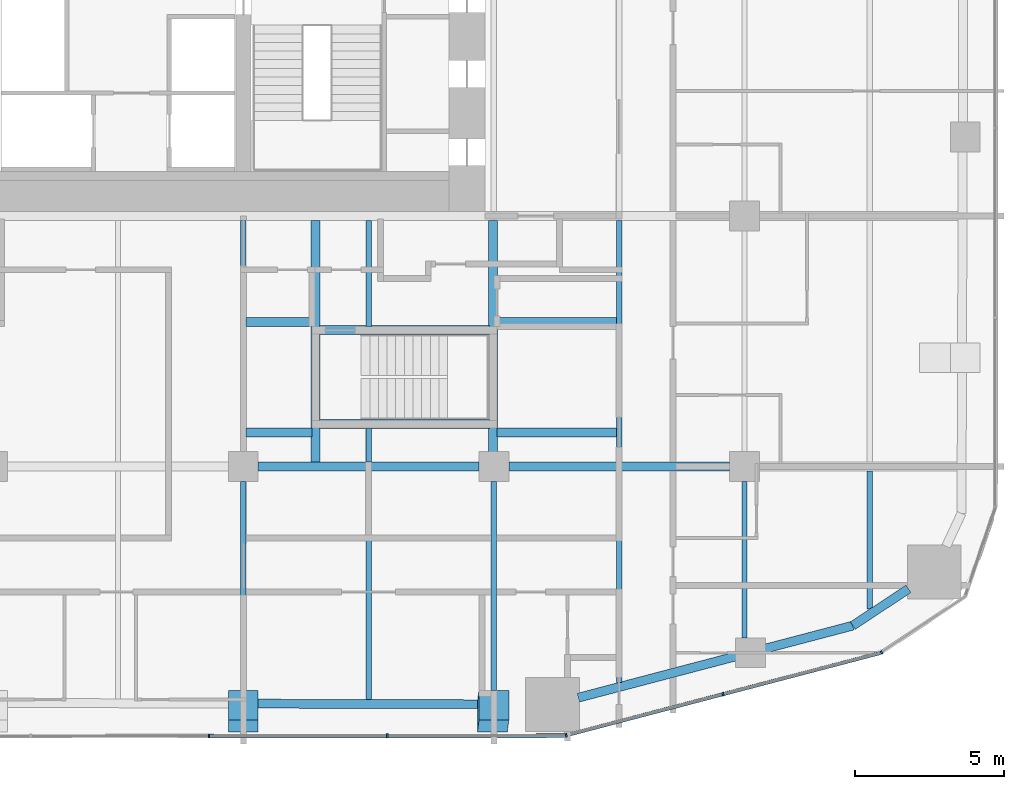
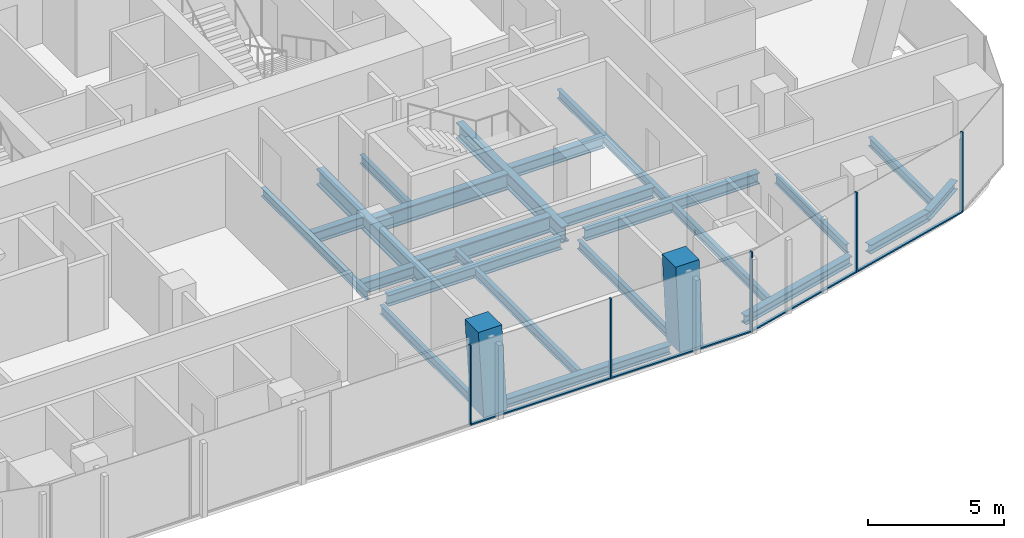
# One storey, part 6 of 27: 24 beams, 11 members, 3 elements without a shape of their own.
"""IFC4 building model written with IfcOpenShell, lengths in metres."""

import ifcopenshell
import ifcopenshell.guid

model = None  # the IFC model being written
_history = None  # IfcOwnerHistory: only IFC2X3 demands one
_inside = {}  # id of a spatial element -> (the spatial element, [elements in it])
_under = {}  # id of a project, library or spatial element -> (it, [spatial elements below it])
_declared = {}  # id of a project -> (the project, [libraries it declares])
_typed = {}  # id of a type object -> (the type object, [elements of that type])
_made_of = {}  # id of a material, layer set ... -> (it, [elements and type objects made of it])


def new_model(schema):
    """Start an empty IFC model of exactly this schema.

    Asked for "IFC4X3", IfcOpenShell would pick the latest addendum, in which some entities
    have other attributes; the version numbers below select the first issue.
    IFC2X3 requires an IfcOwnerHistory on every rooted entity: one is made here for all.
    """
    global model, _history
    if schema == "IFC4X3":
        model = ifcopenshell.file(schema_version=(4, 3, 0, 0))
    else:
        model = ifcopenshell.file(schema=schema)
    _inside.clear()
    _under.clear()
    _declared.clear()
    _typed.clear()
    _made_of.clear()
    _history = None
    if model.schema == "IFC2X3":
        org = make("IfcOrganization", Name="unknown")
        user = make(
            "IfcPersonAndOrganization",
            ThePerson=make("IfcPerson", FamilyName="unknown"),
            TheOrganization=org,
        )
        app = make(
            "IfcApplication",
            ApplicationDeveloper=org,
            Version="unknown",
            ApplicationFullName="unknown",
            ApplicationIdentifier="unknown",
        )
        _history = make(
            "IfcOwnerHistory",
            OwningUser=user,
            OwningApplication=app,
            ChangeAction="ADDED",
            CreationDate=0,
        )
    return model


def make(cls, **values):
    """One entity of the class cls with the attributes given. An attribute that is None is left unset."""
    return model.create_entity(
        cls, **{name: value for name, value in values.items() if value is not None}
    )


def rooted(cls, **values):
    """An entity with a GlobalId (a new one), such as an element, a storey or a relation."""
    return make(cls, GlobalId=ifcopenshell.guid.new(), OwnerHistory=_history, **values)


def si_unit(unit_type, name, prefix=None):
    """IfcSIUnit, for example si_unit("LENGTHUNIT", "METRE", prefix="MILLI")."""
    return make("IfcSIUnit", UnitType=unit_type, Prefix=prefix, Name=name)


def assignment(units):
    """IfcUnitAssignment: the units of a project."""
    return None if units is None else make("IfcUnitAssignment", Units=units)


def point(xyz):
    """IfcCartesianPoint."""
    return None if xyz is None else make("IfcCartesianPoint", Coordinates=xyz)


def direction(xyz):
    """IfcDirection."""
    return None if xyz is None else make("IfcDirection", DirectionRatios=xyz)


def frame(location, z_axis=None, x_axis=None):
    """IfcAxis2Placement3D, a coordinate frame: its origin and axes. An axis left out is left unset."""
    return make(
        "IfcAxis2Placement3D",
        Location=point(location),
        Axis=direction(z_axis),
        RefDirection=direction(x_axis),
    )


def frame_2d(location, x_axis=None):
    """IfcAxis2Placement2D, a coordinate frame in the plane: its origin and x axis."""
    return make(
        "IfcAxis2Placement2D", Location=point(location), RefDirection=direction(x_axis)
    )


def origin():
    """The frame at (0, 0, 0) with its axes left unset."""
    return frame((0.0, 0.0, 0.0))


def origin_2d():
    """The frame at (0, 0) in the plane with its x axis left unset."""
    return frame_2d((0.0, 0.0))


def place(relative_to, where):
    """IfcLocalPlacement: puts the frame where relative to a parent placement (None: the world)."""
    return make(
        "IfcLocalPlacement", PlacementRelTo=relative_to, RelativePlacement=where
    )


def context(
    kind, dimensions, precision=None, world=None, true_north=None, identifier=None
):
    """IfcGeometricRepresentationContext, for example the 3D "Model" context."""
    return make(
        "IfcGeometricRepresentationContext",
        ContextIdentifier=identifier,
        ContextType=kind,
        CoordinateSpaceDimension=dimensions,
        Precision=precision,
        WorldCoordinateSystem=world,
        TrueNorth=true_north,
    )


def subcontext(parent, identifier, kind, view, scale=None):
    """IfcGeometricRepresentationSubContext, for example "Body" below "Model"."""
    return make(
        "IfcGeometricRepresentationSubContext",
        ContextIdentifier=identifier,
        ContextType=kind,
        ParentContext=parent,
        TargetScale=scale,
        TargetView=view,
    )


def project(units=None, contexts=None):
    """IfcProject with its units and contexts."""
    return rooted(
        "IfcProject",
        Name="project",
        RepresentationContexts=contexts,
        UnitsInContext=assignment(units),
    )


def spatial(cls, under=None, at=None, **own):
    """A site, building, storey or space (cls), placed at a placement, below another one or the project."""
    s = rooted(cls, ObjectPlacement=at, **own)
    if under is not None:
        _under.setdefault(under.id(), (under, []))[1].append(s)
    return s


def profile(cls, at=None, kind="AREA", **sizes):
    """A parametric profile (cls). Its sizes go by their IFC names, for example OverallWidth=200.0."""
    return make(cls, ProfileType=kind, Position=at, **sizes)


def rectangle(**sizes):
    """IfcRectangleProfileDef."""
    return profile("IfcRectangleProfileDef", **sizes)


def i_section(**sizes):
    """IfcIShapeProfileDef."""
    return profile("IfcIShapeProfileDef", **sizes)


def extrude(swept, where, along, depth):
    """IfcExtrudedAreaSolid: the profile swept, set in the frame where, extruded along a direction by depth."""
    return make(
        "IfcExtrudedAreaSolid",
        SweptArea=swept,
        Position=where,
        ExtrudedDirection=direction(along),
        Depth=depth,
    )


def shape(context_of_items, identifier, shape_type, items):
    """IfcShapeRepresentation: the items that make up one representation, for example the "Body"."""
    return make(
        "IfcShapeRepresentation",
        ContextOfItems=context_of_items,
        RepresentationIdentifier=identifier,
        RepresentationType=shape_type,
        Items=items,
    )


def material(Name=None, Category=None):
    """IfcMaterial."""
    return make("IfcMaterial", Name=Name, Category=Category)


def layer(
    of_material, thickness, ventilated=None, Name=None, Category=None, Priority=None
):
    """IfcMaterialLayer: one layer of a wall or slab, of a material (None: an air gap)."""
    return make(
        "IfcMaterialLayer",
        Material=of_material,
        LayerThickness=thickness,
        IsVentilated=ventilated,
        Name=Name,
        Category=Category,
        Priority=Priority,
    )


def layer_set(layers, Name=None):
    """IfcMaterialLayerSet."""
    return make("IfcMaterialLayerSet", MaterialLayers=layers, LayerSetName=Name)


def material_profile(
    of_material, cross_section, Name=None, Category=None, Priority=None
):
    """IfcMaterialProfile: a cross section and its material."""
    return make(
        "IfcMaterialProfile",
        Name=Name,
        Material=of_material,
        Profile=cross_section,
        Priority=Priority,
        Category=Category,
    )


def profile_set(profiles, Name=None, composite=None):
    """IfcMaterialProfileSet."""
    return make(
        "IfcMaterialProfileSet",
        Name=Name,
        MaterialProfiles=profiles,
        CompositeProfile=composite,
    )


def made_of(thing, what):
    """Note that an element or type object is made of a material, layer set ...; save() writes the relation."""
    if what is not None:
        _made_of.setdefault(what.id(), (what, []))[1].append(thing)
    return thing


def type_object(cls, material=None, **own):
    """A type object (cls), such as IfcWallType, which elements share."""
    return made_of(rooted(cls, **own), material)


def element(
    cls,
    number,
    at=None,
    inside=None,
    cuts=None,
    type_object=None,
    material=None,
    context=None,
    identifier="Body",
    shape_type=None,
    held_by="IfcProductDefinitionShape",
    body=None,
    shapes=None,
    **own,
):
    """One element of the class cls, such as IfcWall. Its Tag is "e" and its number.

    at: its placement. inside: the storey or other place that contains it. cuts: it is an
    opening in that element (IfcRelVoidsElement). A single representation is given by context,
    identifier, shape_type and body (its items); several are given by shapes. held_by: the class
    of the entity that holds the representations. save() writes the other relations.
    """
    e = rooted(cls, Tag="e%d" % number, ObjectPlacement=at, **own)
    if body is not None:
        shapes = [shape(context, identifier, shape_type, body)]
    if shapes is not None:
        e.Representation = make(held_by, Representations=shapes)
    if inside is not None:
        _inside.setdefault(inside.id(), (inside, []))[1].append(e)
    if cuts is not None:
        rooted(
            "IfcRelVoidsElement", RelatingBuildingElement=cuts, RelatedOpeningElement=e
        )
    if type_object is not None:
        _typed.setdefault(type_object.id(), (type_object, []))[1].append(e)
    return made_of(e, material)


def aggregate(whole, parts):
    """IfcRelAggregates: a whole, such as a stair, and the parts it consists of."""
    return rooted("IfcRelAggregates", RelatingObject=whole, RelatedObjects=parts)


def save(model, path):
    """Write the relations noted so far, then the file.

    IfcRelAggregates (storeys below a building ...), IfcRelContainedInSpatialStructure (elements
    in a storey), IfcRelDefinesByType, IfcRelAssociatesMaterial and IfcRelDeclares: one each for
    every whole, place, type object, material and project.
    """
    for whole, parts in _under.values():
        aggregate(whole, parts)
    for where, things in _inside.values():
        rooted(
            "IfcRelContainedInSpatialStructure",
            RelatedElements=things,
            RelatingStructure=where,
        )
    for kind, things in _typed.values():
        rooted("IfcRelDefinesByType", RelatedObjects=things, RelatingType=kind)
    for what, things in _made_of.values():
        rooted("IfcRelAssociatesMaterial", RelatedObjects=things, RelatingMaterial=what)
    for by, libraries in _declared.values():
        rooted("IfcRelDeclares", RelatingContext=by, RelatedDefinitions=libraries)
    model.write(path)


model = new_model("IFC4")

# Units and contexts
model_context = context("Model", 3, precision=1e-05, world=origin(), true_north=direction((0.0, 1.0)))
body_context = subcontext(model_context, "Body", "Model", "MODEL_VIEW")
ifc_project = project(units=[si_unit("LENGTHUNIT", "METRE"), si_unit("AREAUNIT", "SQUARE_METRE"), si_unit("VOLUMEUNIT", "CUBIC_METRE"), si_unit("PLANEANGLEUNIT", "RADIAN"), si_unit("MASSUNIT", "GRAM", prefix="KILO")], contexts=[model_context])

# Site, building, storey
site_placement = place(None, origin())
site = spatial("IfcSite", under=ifc_project, at=site_placement, CompositionType="ELEMENT")
building_placement = place(site_placement, origin())
building = spatial("IfcBuilding", under=site, at=building_placement, Name="Marenta Gate Hotel Tower", CompositionType="ELEMENT")
storey_placement = place(building_placement, frame((0.0, 0.0, 36.5)))
storey = spatial("IfcBuildingStorey", under=building, at=storey_placement, Name="L06", CompositionType="ELEMENT", Elevation=36.5)

# Beams
ifc_material_1 = material(Name="Steel S355", Category="steel")
ifc_material_profile_1 = material_profile(ifc_material_1, i_section(OverallWidth=0.300048828125, OverallDepth=0.39990234375, WebThickness=0.013427734375, FlangeThickness=0.02392578125, FilletRadius=0.027099609375, at=origin_2d()), Name="HEB 400")
ifc_profile_set_1 = profile_set([ifc_material_profile_1], Name="Steel S355")
beam_type_1 = type_object("IfcBeamType", Name="Edge beam HEB 400", PredefinedType="SPANDREL", material=ifc_profile_set_1)
beam_1_placement = place(storey_placement, frame((26.496337890625, -12.498291015625, -0.35009765625), z_axis=(-0.834510054819, -0.550992711754, 0.0), x_axis=(0.550992711754, -0.834510054819, 0.0)))
element("IfcBeam", 1, at=beam_1_placement, inside=storey, type_object=beam_type_1, Name="L06-EB-29", PredefinedType="SPANDREL", context=body_context, shape_type="SweptSolid", body=[
    extrude(i_section(OverallWidth=0.300048828125, OverallDepth=0.39990234375, WebThickness=0.013427734375, FlangeThickness=0.02392578125, FilletRadius=0.027099609375, at=origin_2d()), origin(), (0.0, 0.0, 1.0), 2.237060546875),
])
beam_2_placement = place(storey_placement, frame((24.62939453125, -13.73095703125, -0.35009765625), z_axis=(-0.967228272573, -0.253908386501, 0.0), x_axis=(0.253908386501, -0.967228272573, 0.0)))
element("IfcBeam", 2, at=beam_2_placement, inside=storey, type_object=beam_type_1, Name="L06-EB-30", PredefinedType="SPANDREL", context=body_context, shape_type="SweptSolid", body=[
    extrude(i_section(OverallWidth=0.300048828125, OverallDepth=0.39990234375, WebThickness=0.013427734375, FlangeThickness=0.02392578125, FilletRadius=0.027099609375, at=origin_2d()), origin(), (0.0, 0.0, 1.0), 3.0615234375),
])
beam_3_placement = place(storey_placement, frame((20.74560546875, -14.75048828125, -0.35009765625), z_axis=(-0.967231374294, -0.253896570638, 0.0), x_axis=(0.253896570638, -0.967231374294, 0.0)))
element("IfcBeam", 3, at=beam_3_placement, inside=storey, type_object=beam_type_1, Name="L06-EB-31", PredefinedType="SPANDREL", context=body_context, shape_type="SweptSolid", body=[
    extrude(i_section(OverallWidth=0.300048828125, OverallDepth=0.39990234375, WebThickness=0.013427734375, FlangeThickness=0.02392578125, FilletRadius=0.027099609375, at=origin_2d()), origin(), (0.0, 0.0, 1.0), 5.498291015625),
])
beam_4_placement = place(storey_placement, frame((12.139892578125, -16.365966796875, -0.35009765625), z_axis=(-0.99999624158, 0.002741683018, 0.0), x_axis=(-0.002741683018, -0.99999624158, 0.0)))
element("IfcBeam", 4, at=beam_4_placement, inside=storey, type_object=beam_type_1, Name="L06-EB-32", PredefinedType="SPANDREL", context=body_context, shape_type="SweptSolid", body=[
    extrude(i_section(OverallWidth=0.300048828125, OverallDepth=0.39990234375, WebThickness=0.013427734375, FlangeThickness=0.02392578125, FilletRadius=0.027099609375, at=origin_2d()), origin(), (0.0, 0.0, 1.0), 7.47998046875),
])

# Members
ifc_material_2 = material(Name="Concrete C80", Category="concrete")
ifc_material_profile_2 = material_profile(ifc_material_2, rectangle(XDim=1.0, YDim=1.0, at=origin_2d()), Name="1000 x 1000")
ifc_profile_set_2 = profile_set([ifc_material_profile_2], Name="Concrete C80")
member_type_1 = type_object("IfcMemberType", Name="Edge column raked 1000 x 1000 C80", PredefinedType="STRUT", material=ifc_profile_set_2)
member_1_placement = place(storey_placement, frame((12.54638671875, -16.800048828125, 0.0), z_axis=(0.0, 0.0, 1.0), x_axis=(1.0, 0.0, 0.0)))
element("IfcMember", 5, at=member_1_placement, inside=storey, type_object=member_type_1, Name="L06-EC-SKE-SKW-1", PredefinedType="STRUT", context=body_context, shape_type="SweptSolid", body=[
    extrude(rectangle(XDim=1.0, YDim=1.0, at=origin_2d()), origin(), (0.014826358586, 0.110456371463, 0.993770380467), 3.62255859375),
])
member_2_placement = place(storey_placement, frame((4.199951171875, -16.800048828125, 0.0), z_axis=(0.0, 0.0, 1.0), x_axis=(1.0, 0.0, 0.0)))
element("IfcMember", 6, at=member_2_placement, inside=storey, type_object=member_type_1, Name="L06-EC-SKE-SKW-2", PredefinedType="STRUT", context=body_context, shape_type="SweptSolid", body=[
    extrude(rectangle(XDim=1.0, YDim=1.0, at=origin_2d()), origin(), (0.0, 0.110468513774, 0.993879624232), 3.622314453125),
])

# Beams
ifc_material_3 = material(Name="Steel S355", Category="steel")
ifc_material_profile_3 = material_profile(ifc_material_3, i_section(OverallWidth=0.179931640625, OverallDepth=0.39990234375, WebThickness=0.008544921875, FlangeThickness=0.013427734375, FilletRadius=0.02099609375, at=origin_2d()), Name="IPE 400")
ifc_profile_set_3 = profile_set([ifc_material_profile_3], Name="Steel S355")
beam_type_2 = type_object("IfcBeamType", Name="Floor beam IPE 400", PredefinedType="JOIST", material=ifc_profile_set_3)
beam_5_placement = place(storey_placement, frame((4.199951171875, -15.89990234375, -0.35009765625), z_axis=(0.0, 1.0, 0.0), x_axis=(-1.0, 0.0, 0.0)))
element("IfcBeam", 7, at=beam_5_placement, inside=storey, type_object=beam_type_2, Name="L06-FB-40", PredefinedType="JOIST", context=body_context, shape_type="SweptSolid", body=[
    extrude(i_section(OverallWidth=0.179931640625, OverallDepth=0.39990234375, WebThickness=0.008544921875, FlangeThickness=0.013427734375, FilletRadius=0.02099609375, at=origin_2d()), origin(), (0.0, 0.0, 1.0), 7.0),
])
beam_6_placement = place(storey_placement, frame((4.199951171875, -7.89990234375, -0.35009765625), z_axis=(0.0, 1.0, 0.0), x_axis=(-1.0, 0.0, 0.0)))
element("IfcBeam", 8, at=beam_6_placement, inside=storey, type_object=beam_type_2, Name="L06-FB-41", PredefinedType="JOIST", context=body_context, shape_type="SweptSolid", body=[
    extrude(i_section(OverallWidth=0.179931640625, OverallDepth=0.39990234375, WebThickness=0.008544921875, FlangeThickness=0.013427734375, FilletRadius=0.02099609375, at=origin_2d()), origin(), (0.0, 0.0, 1.0), 7.75),
])
beam_7_placement = place(storey_placement, frame((8.39990234375, -16.205810546875, -0.35009765625), z_axis=(0.0, 1.0, 0.0), x_axis=(-1.0, 0.0, 0.0)))
element("IfcBeam", 9, at=beam_7_placement, inside=storey, type_object=beam_type_2, Name="L06-FB-44", PredefinedType="JOIST", context=body_context, shape_type="SweptSolid", body=[
    extrude(i_section(OverallWidth=0.179931640625, OverallDepth=0.39990234375, WebThickness=0.008544921875, FlangeThickness=0.013427734375, FilletRadius=0.02099609375, at=origin_2d()), origin(), (0.0, 0.0, 1.0), 7.65576171875),
])
beam_8_placement = place(storey_placement, frame((8.39990234375, -8.25, -0.35009765625), z_axis=(0.0, 1.0, 0.0), x_axis=(-1.0, 0.0, 0.0)))
element("IfcBeam", 10, at=beam_8_placement, inside=storey, type_object=beam_type_2, Name="L06-FB-45", PredefinedType="JOIST", context=body_context, shape_type="SweptSolid", body=[
    extrude(i_section(OverallWidth=0.179931640625, OverallDepth=0.39990234375, WebThickness=0.008544921875, FlangeThickness=0.013427734375, FilletRadius=0.02099609375, at=origin_2d()), origin(), (0.0, 0.0, 1.0), 1.14990234375),
])
beam_9_placement = place(storey_placement, frame((8.39990234375, -3.699951171875, -0.35009765625), z_axis=(0.0, 1.0, 0.0), x_axis=(-1.0, 0.0, 0.0)))
element("IfcBeam", 11, at=beam_9_placement, inside=storey, type_object=beam_type_2, Name="L06-FB-46", PredefinedType="JOIST", context=body_context, shape_type="SweptSolid", body=[
    extrude(i_section(OverallWidth=0.179931640625, OverallDepth=0.39990234375, WebThickness=0.008544921875, FlangeThickness=0.013427734375, FilletRadius=0.02099609375, at=origin_2d()), origin(), (0.0, 0.0, 1.0), 3.550048828125),
])
beam_10_placement = place(storey_placement, frame((12.60009765625, -15.89990234375, -0.35009765625), z_axis=(0.0, 1.0, 0.0), x_axis=(-1.0, 0.0, 0.0)))
element("IfcBeam", 12, at=beam_10_placement, inside=storey, type_object=beam_type_2, Name="L06-FB-49", PredefinedType="JOIST", context=body_context, shape_type="SweptSolid", body=[
    extrude(i_section(OverallWidth=0.179931640625, OverallDepth=0.39990234375, WebThickness=0.008544921875, FlangeThickness=0.013427734375, FilletRadius=0.02099609375, at=origin_2d()), origin(), (0.0, 0.0, 1.0), 7.0),
])
beam_11_placement = place(storey_placement, frame((16.800048828125, -15.631103515625, -0.35009765625), z_axis=(0.0, 1.0, 0.0), x_axis=(-1.0, 0.0, 0.0)))
element("IfcBeam", 13, at=beam_11_placement, inside=storey, type_object=beam_type_2, Name="L06-FB-54", PredefinedType="JOIST", context=body_context, shape_type="SweptSolid", body=[
    extrude(i_section(OverallWidth=0.179931640625, OverallDepth=0.39990234375, WebThickness=0.008544921875, FlangeThickness=0.013427734375, FilletRadius=0.02099609375, at=origin_2d()), origin(), (0.0, 0.0, 1.0), 7.0810546875),
])
beam_12_placement = place(storey_placement, frame((16.800048828125, -8.25, -0.35009765625), z_axis=(0.0, 1.0, 0.0), x_axis=(-1.0, 0.0, 0.0)))
element("IfcBeam", 14, at=beam_12_placement, inside=storey, type_object=beam_type_2, Name="L06-FB-55", PredefinedType="JOIST", context=body_context, shape_type="SweptSolid", body=[
    extrude(i_section(OverallWidth=0.179931640625, OverallDepth=0.39990234375, WebThickness=0.008544921875, FlangeThickness=0.013427734375, FilletRadius=0.02099609375, at=origin_2d()), origin(), (0.0, 0.0, 1.0), 8.10009765625),
])
beam_13_placement = place(storey_placement, frame((21.0, -14.13916015625, -0.35009765625), z_axis=(0.0, 1.0, 0.0), x_axis=(-1.0, 0.0, 0.0)))
element("IfcBeam", 15, at=beam_13_placement, inside=storey, type_object=beam_type_2, Name="L06-FB-60", PredefinedType="JOIST", context=body_context, shape_type="SweptSolid", body=[
    extrude(i_section(OverallWidth=0.179931640625, OverallDepth=0.39990234375, WebThickness=0.008544921875, FlangeThickness=0.013427734375, FilletRadius=0.02099609375, at=origin_2d()), origin(), (0.0, 0.0, 1.0), 5.2392578125),
])
beam_14_placement = place(storey_placement, frame((25.199951171875, -13.174560546875, -0.35009765625), z_axis=(0.0, 1.0, 0.0), x_axis=(-1.0, 0.0, 0.0)))
element("IfcBeam", 16, at=beam_14_placement, inside=storey, type_object=beam_type_2, Name="L06-FB-66", PredefinedType="JOIST", context=body_context, shape_type="SweptSolid", body=[
    extrude(i_section(OverallWidth=0.179931640625, OverallDepth=0.39990234375, WebThickness=0.008544921875, FlangeThickness=0.013427734375, FilletRadius=0.02099609375, at=origin_2d()), origin(), (0.0, 0.0, 1.0), 4.62451171875),
])
ifc_material_4 = material(Name="Steel S355", Category="steel")
ifc_material_profile_4 = material_profile(ifc_material_4, i_section(OverallWidth=0.300048828125, OverallDepth=0.5, WebThickness=0.014404296875, FlangeThickness=0.028076171875, FilletRadius=0.027099609375, at=origin_2d()), Name="HEB 500")
ifc_profile_set_4 = profile_set([ifc_material_profile_4], Name="Steel S355")
beam_type_3 = type_object("IfcBeamType", Name="Girder HEB 500", PredefinedType="BEAM", material=ifc_profile_set_4)
beam_15_placement = place(storey_placement, frame((4.699951171875, -8.39990234375, -0.39990234375), z_axis=(1.0, 0.0, 0.0), x_axis=(0.0, 1.0, 0.0)))
element("IfcBeam", 17, at=beam_15_placement, inside=storey, type_object=beam_type_3, Name="L06-GD-5", PredefinedType="BEAM", context=body_context, shape_type="SweptSolid", body=[
    extrude(i_section(OverallWidth=0.300048828125, OverallDepth=0.5, WebThickness=0.014404296875, FlangeThickness=0.028076171875, FilletRadius=0.027099609375, at=origin_2d()), origin(), (0.0, 0.0, 1.0), 7.400146484375),
])
beam_16_placement = place(storey_placement, frame((13.10009765625, -8.39990234375, -0.39990234375), z_axis=(1.0, 0.0, 0.0), x_axis=(0.0, 1.0, 0.0)))
element("IfcBeam", 18, at=beam_16_placement, inside=storey, type_object=beam_type_3, Name="L06-GD-6", PredefinedType="BEAM", context=body_context, shape_type="SweptSolid", body=[
    extrude(i_section(OverallWidth=0.300048828125, OverallDepth=0.5, WebThickness=0.014404296875, FlangeThickness=0.028076171875, FilletRadius=0.027099609375, at=origin_2d()), origin(), (0.0, 0.0, 1.0), 7.39990234375),
])

# Curtain wall, members
ifc_material_5 = material(Name="Tinted insulated glass in bronze anodised frame", Category="glass")
ifc_layer = layer(ifc_material_5, 0.1201171875)
ifc_layer_set = layer_set([ifc_layer], Name="Tinted insulated glass in bronze anodised frame")
curtain_wall_type = type_object("IfcCurtainWallType", Name="Tower unitised curtain wall CW1", PredefinedType="NOTDEFINED", material=ifc_layer_set)
curtain_wall_1_placement = place(storey_placement, origin())
curtain_wall_1 = element("IfcCurtainWall", 19, at=curtain_wall_1_placement, inside=storey, type_object=curtain_wall_type, Name="CW1 run G07", PredefinedType="NOTDEFINED")
ifc_material_6 = material(Name="Bronze anodised aluminium", Category="aluminium")
ifc_material_profile_5 = material_profile(ifc_material_6, rectangle(XDim=0.1201171875, YDim=0.06005859375, at=origin_2d()), Name="Mullion CW1 60x120 bronze anodised aluminium")
ifc_profile_set_5 = profile_set([ifc_material_profile_5], Name="Bronze anodised aluminium")
member_type_2 = type_object("IfcMemberType", Name="Mullion CW1 60x120 bronze anodised aluminium", PredefinedType="MULLION", material=ifc_profile_set_5)
member_3_placement = place(storey_placement, frame((3.048095703125, -17.427001953125, 0.0), z_axis=(0.0, 0.0, 1.0), x_axis=(-0.001161921639, 0.999999324969, 0.0)))
member_3 = element("IfcMember", 20, at=member_3_placement, type_object=member_type_2, Name="CW1 mullion 4", PredefinedType="MULLION", context=body_context, shape_type="SweptSolid", body=[
    extrude(rectangle(XDim=0.1201171875, YDim=0.06005859375, at=origin_2d()), origin(), (0.0, 0.0, 1.0), 3.60009765625),
])
member_4_placement = place(storey_placement, frame((9.020751953125, -17.419921875, 0.0), z_axis=(0.0, 0.0, 1.0), x_axis=(-0.001161921639, 0.999999324969, 0.0)))
member_4 = element("IfcMember", 21, at=member_4_placement, type_object=member_type_2, Name="CW1 mullion 5", PredefinedType="MULLION", context=body_context, shape_type="SweptSolid", body=[
    extrude(rectangle(XDim=0.1201171875, YDim=0.06005859375, at=origin_2d()), origin(), (0.0, 0.0, 1.0), 3.60009765625),
])

curtain_wall_2_placement = place(storey_placement, origin())
curtain_wall_2 = element("IfcCurtainWall", 22, at=curtain_wall_2_placement, inside=storey, type_object=curtain_wall_type, Name="CW1 run G08", PredefinedType="NOTDEFINED")
member_5_placement = place(storey_placement, frame((15.022705078125, -17.405517578125, 0.0), z_axis=(0.0, 0.0, 1.0), x_axis=(-0.25337182621, 0.967368966674, 0.0)))
member_5 = element("IfcMember", 23, at=member_5_placement, type_object=member_type_2, Name="CW1 mullion 1", PredefinedType="MULLION", context=body_context, shape_type="SweptSolid", body=[
    extrude(rectangle(XDim=0.1201171875, YDim=0.06005859375, at=origin_2d()), origin(), (0.0, 0.0, 1.0), 3.60009765625),
])
member_6_placement = place(storey_placement, frame((20.28076171875, -16.0283203125, 0.0), z_axis=(0.0, 0.0, 1.0), x_axis=(-0.25337182621, 0.967368966674, 0.0)))
member_6 = element("IfcMember", 24, at=member_6_placement, type_object=member_type_2, Name="CW1 mullion 2", PredefinedType="MULLION", context=body_context, shape_type="SweptSolid", body=[
    extrude(rectangle(XDim=0.1201171875, YDim=0.06005859375, at=origin_2d()), origin(), (0.0, 0.0, 1.0), 3.60009765625),
])

# Curtain wall, member
curtain_wall_3_placement = place(storey_placement, origin())
curtain_wall_3 = element("IfcCurtainWall", 25, at=curtain_wall_3_placement, inside=storey, type_object=curtain_wall_type, Name="CW1 run G09", PredefinedType="NOTDEFINED")
member_7_placement = place(storey_placement, frame((25.592529296875, -14.626953125, 0.0), z_axis=(0.0, 0.0, 1.0), x_axis=(-0.554034324326, 0.832493824282, 0.0)))
member_7 = element("IfcMember", 26, at=member_7_placement, type_object=member_type_2, Name="CW1 mullion 1", PredefinedType="MULLION", context=body_context, shape_type="SweptSolid", body=[
    extrude(rectangle(XDim=0.1201171875, YDim=0.06005859375, at=origin_2d()), origin(), (0.0, 0.0, 1.0), 3.60009765625),
])
aggregate(curtain_wall_3, [member_7])

# Beams
ifc_material_7 = material(Name="Steel S355", Category="steel")
ifc_material_profile_6 = material_profile(ifc_material_7, i_section(OverallWidth=0.303955078125, OverallDepth=0.716064453125, WebThickness=0.027099609375, FlangeThickness=0.048095703125, FilletRadius=0.027099609375, at=origin_2d()), Name="HEM 700")
ifc_profile_set_6 = profile_set([ifc_material_profile_6], Name="Steel S355")
beam_type_4 = type_object("IfcBeamType", Name="Stair wall transfer beam HEM 700", PredefinedType="BEAM", material=ifc_profile_set_6)
beam_17_placement = place(storey_placement, frame((6.625, -8.25, -0.508056640625), z_axis=(0.0, 1.0, 0.0), x_axis=(-1.0, 0.0, 0.0)))
element("IfcBeam", 27, at=beam_17_placement, inside=storey, type_object=beam_type_4, Name="L06-XB-RS-Z1-1-a", PredefinedType="BEAM", context=body_context, shape_type="SweptSolid", body=[
    extrude(i_section(OverallWidth=0.303955078125, OverallDepth=0.716064453125, WebThickness=0.027099609375, FlangeThickness=0.048095703125, FilletRadius=0.027099609375, at=origin_2d()), origin(), (0.0, 0.0, 1.0), 8.10009765625),
])
beam_18_placement = place(storey_placement, frame((12.574951171875, -7.949951171875, -0.508056640625), z_axis=(0.0, 1.0, 0.0), x_axis=(-1.0, 0.0, 0.0)))
element("IfcBeam", 28, at=beam_18_placement, inside=storey, type_object=beam_type_4, Name="L06-XB-RS-Z1-1-b", PredefinedType="BEAM", context=body_context, shape_type="SweptSolid", body=[
    extrude(i_section(OverallWidth=0.303955078125, OverallDepth=0.716064453125, WebThickness=0.027099609375, FlangeThickness=0.048095703125, FilletRadius=0.027099609375, at=origin_2d()), origin(), (0.0, 0.0, 1.0), 7.800048828125),
])
for number, where, z_axis, x_axis, name in (
    (29, (6.75, -6.97509765625, -0.508056640625), (1.0, 0.0, 0.0), (0.0, 1.0, 0.0), "L06-XB-RS-Z1-1-c"),
    (30, (6.75, -3.824951171875, -0.508056640625), (1.0, 0.0, 0.0), (0.0, 1.0, 0.0), "L06-XB-RS-Z1-1-d"),
):
    element("IfcBeam", number, at=place(storey_placement, frame(where, z_axis=z_axis, x_axis=x_axis)), inside=storey, type_object=beam_type_4, Name=name, PredefinedType="BEAM", context=body_context, shape_type="SweptSolid", body=[
        extrude(i_section(OverallWidth=0.303955078125, OverallDepth=0.716064453125, WebThickness=0.027099609375, FlangeThickness=0.048095703125, FilletRadius=0.027099609375, at=origin_2d()), origin(), (0.0, 0.0, 1.0), 5.699951171875),
    ])

# Member
ifc_material_8 = material(Name="Bronze anodised aluminium", Category="aluminium")
ifc_material_profile_7 = material_profile(ifc_material_8, rectangle(XDim=0.1201171875, YDim=0.06005859375, at=origin_2d()), Name="Transom CW1 60x120 bronze anodised aluminium")
ifc_profile_set_7 = profile_set([ifc_material_profile_7], Name="Bronze anodised aluminium")
member_type_3 = type_object("IfcMemberType", Name="Transom CW1 60x120 bronze anodised aluminium", PredefinedType="USERDEFINED", material=ifc_profile_set_7)
member_8_placement = place(storey_placement, frame((3.077880859375, -17.427001953125, 0.030029296875), z_axis=(0.999999331697, 0.001156116326, 0.0), x_axis=(-0.001156116326, 0.999999331697, 0.0)))
member_8 = element("IfcMember", 31, at=member_8_placement, type_object=member_type_3, Name="CW1 transom 4.1", ObjectType="TRANSOM", PredefinedType="USERDEFINED", context=body_context, shape_type="SweptSolid", body=[
    extrude(rectangle(XDim=0.1201171875, YDim=0.06005859375, at=origin_2d()), origin(), (0.0, 0.0, 1.0), 5.912841796875),
])

member_9_placement = place(storey_placement, frame((9.05078125, -17.419921875, 0.030029296875), z_axis=(0.999999338434, 0.001150274483, 0.0), x_axis=(-0.001150274483, 0.999999338434, 0.0)))
member_9 = element("IfcMember", 32, at=member_9_placement, type_object=member_type_3, Name="CW1 transom 5.1", ObjectType="TRANSOM", PredefinedType="USERDEFINED", context=body_context, shape_type="SweptSolid", body=[
    extrude(rectangle(XDim=0.1201171875, YDim=0.06005859375, at=origin_2d()), origin(), (0.0, 0.0, 1.0), 5.94287109375),
])

aggregate(curtain_wall_1, [member_3, member_4, member_8, member_9])

member_10_placement = place(storey_placement, frame((15.0517578125, -17.39794921875, 0.030029296875), z_axis=(0.96736453676, 0.253388738935, 0.0), x_axis=(-0.253388738935, 0.96736453676, 0.0)))
member_10 = element("IfcMember", 33, at=member_10_placement, type_object=member_type_3, Name="CW1 transom 1.1", ObjectType="TRANSOM", PredefinedType="USERDEFINED", context=body_context, shape_type="SweptSolid", body=[
    extrude(rectangle(XDim=0.1201171875, YDim=0.06005859375, at=origin_2d()), origin(), (0.0, 0.0, 1.0), 5.37548828125),
])

member_11_placement = place(storey_placement, frame((20.3095703125, -16.020751953125, 0.030029296875), z_axis=(0.967368291574, 0.253374403713, 0.0), x_axis=(-0.253374403713, 0.967368291574, 0.0)))
member_11 = element("IfcMember", 34, at=member_11_placement, type_object=member_type_3, Name="CW1 transom 2.1", ObjectType="TRANSOM", PredefinedType="USERDEFINED", context=body_context, shape_type="SweptSolid", body=[
    extrude(rectangle(XDim=0.1201171875, YDim=0.06005859375, at=origin_2d()), origin(), (0.0, 0.0, 1.0), 5.435302734375),
])

aggregate(curtain_wall_2, [member_5, member_6, member_10, member_11])

# Beams
ifc_material_9 = material(Name="Steel S355", Category="steel")
ifc_material_profile_8 = material_profile(ifc_material_9, i_section(OverallWidth=0.300048828125, OverallDepth=0.5, WebThickness=0.014404296875, FlangeThickness=0.028076171875, FilletRadius=0.027099609375, at=origin_2d()), Name="HEB 500")
ifc_profile_set_8 = profile_set([ifc_material_profile_8], Name="Steel S355")
beam_type_5 = type_object("IfcBeamType", Name="Trimmer HEB 500", PredefinedType="BEAM", material=ifc_profile_set_8)
beam_19_placement = place(storey_placement, frame((4.2900390625, -7.25, -0.39990234375), z_axis=(1.0, 0.0, 0.0), x_axis=(0.0, 1.0, 0.0)))
element("IfcBeam", 35, at=beam_19_placement, inside=storey, type_object=beam_type_5, Name="L06-TR-1", PredefinedType="BEAM", context=body_context, shape_type="SweptSolid", body=[
    extrude(i_section(OverallWidth=0.300048828125, OverallDepth=0.5, WebThickness=0.014404296875, FlangeThickness=0.028076171875, FilletRadius=0.027099609375, at=origin_2d()), origin(), (0.0, 0.0, 1.0), 2.2099609375),
])
beam_20_placement = place(storey_placement, frame((12.699951171875, -7.25, -0.39990234375), z_axis=(1.0, 0.0, 0.0), x_axis=(0.0, 1.0, 0.0)))
element("IfcBeam", 36, at=beam_20_placement, inside=storey, type_object=beam_type_5, Name="L06-TR-2", PredefinedType="BEAM", context=body_context, shape_type="SweptSolid", body=[
    extrude(i_section(OverallWidth=0.300048828125, OverallDepth=0.5, WebThickness=0.014404296875, FlangeThickness=0.028076171875, FilletRadius=0.027099609375, at=origin_2d()), origin(), (0.0, 0.0, 1.0), 4.010009765625),
])
beam_21_placement = place(storey_placement, frame((4.2900390625, -3.550048828125, -0.39990234375), z_axis=(1.0, 0.0, 0.0), x_axis=(0.0, 1.0, 0.0)))
element("IfcBeam", 37, at=beam_21_placement, inside=storey, type_object=beam_type_5, Name="L06-TR-3", PredefinedType="BEAM", context=body_context, shape_type="SweptSolid", body=[
    extrude(i_section(OverallWidth=0.300048828125, OverallDepth=0.5, WebThickness=0.014404296875, FlangeThickness=0.028076171875, FilletRadius=0.027099609375, at=origin_2d()), origin(), (0.0, 0.0, 1.0), 2.2099609375),
])
beam_22_placement = place(storey_placement, frame((12.699951171875, -3.550048828125, -0.39990234375), z_axis=(1.0, 0.0, 0.0), x_axis=(0.0, 1.0, 0.0)))
element("IfcBeam", 38, at=beam_22_placement, inside=storey, type_object=beam_type_5, Name="L06-TR-4", PredefinedType="BEAM", context=body_context, shape_type="SweptSolid", body=[
    extrude(i_section(OverallWidth=0.300048828125, OverallDepth=0.5, WebThickness=0.014404296875, FlangeThickness=0.028076171875, FilletRadius=0.027099609375, at=origin_2d()), origin(), (0.0, 0.0, 1.0), 4.010009765625),
])

save(model, "model.ifc")
